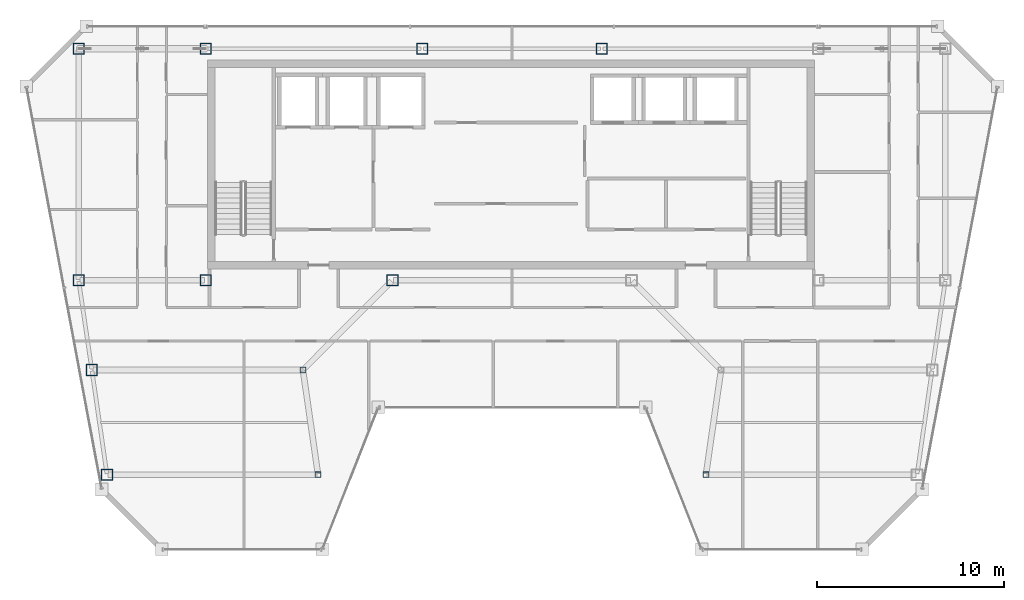
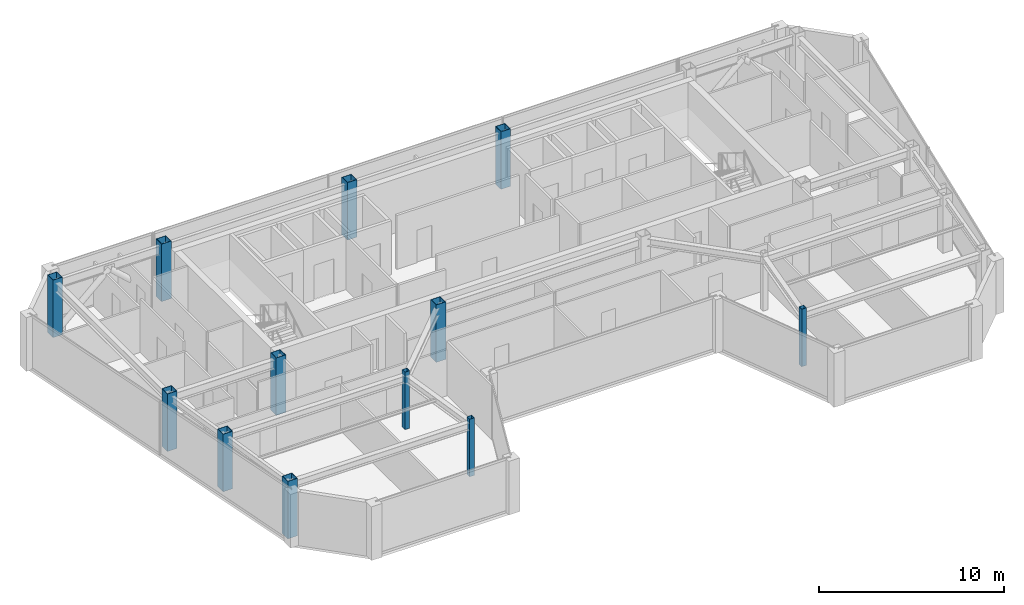
# One storey, part 1 of 23: 12 columns.
"""IFC4 building model written with IfcOpenShell, lengths in metres."""

from ifc_helpers import new_model, si_unit, direction, frame, origin, origin_2d, place, context, subcontext, project, spatial, hollow_rectangle, extrude, material, material_profile, profile_set, type_object, element, save


model = new_model("IFC4")

# Units and contexts
model_context = context("Model", 3, precision=1e-05, world=origin(), true_north=direction((0.0, 1.0)))
body_context = subcontext(model_context, "Body", "Model", "MODEL_VIEW")
ifc_project = project(units=[si_unit("LENGTHUNIT", "METRE"), si_unit("AREAUNIT", "SQUARE_METRE"), si_unit("VOLUMEUNIT", "CUBIC_METRE"), si_unit("PLANEANGLEUNIT", "RADIAN"), si_unit("MASSUNIT", "GRAM", prefix="KILO")], contexts=[model_context])

# Site, building, storey
site_placement = place(None, origin())
site = spatial("IfcSite", under=ifc_project, at=site_placement, CompositionType="ELEMENT")
building_placement = place(site_placement, origin())
building = spatial("IfcBuilding", under=site, at=building_placement, Name="Saevonmaru Cultural Tower", CompositionType="ELEMENT")
storey_placement = place(building_placement, frame((0.0, 0.0, 283.800048828125)))
storey = spatial("IfcBuildingStorey", under=building, at=storey_placement, Name="L67", CompositionType="ELEMENT", Elevation=283.800048828125)

# Columns
ifc_material = material(Name="Steel SM355", Category="steel")
ifc_material_profile_1 = material_profile(ifc_material, hollow_rectangle(XDim=0.60009765625, YDim=0.60009765625, WallThickness=0.028076171875, at=origin_2d()), Name="BOX-600x600x28")
ifc_profile_set_1 = profile_set([ifc_material_profile_1], Name="Steel SM355")
column_type_1 = type_object("IfcColumnType", Name="COL-BOX-600", PredefinedType="COLUMN", material=ifc_profile_set_1)
for number, where, z_axis, x_axis, name in (
    (1, (6.800048828125, 54.800048828125, 0.0), (0.0, 0.0, 1.0), (1.0, 0.0, 0.0), "L67 Column TC-N1N"),
    (2, (13.60009765625, 54.800048828125, 0.0), (0.0, 0.0, 1.0), (1.0, 0.0, 0.0), "L67 Column TC-N2N"),
    (3, (25.199951171875, 54.800048828125, 0.0), (0.0, 0.0, 1.0), (1.0, 0.0, 0.0), "L67 Column TC-N3N"),
    (4, (34.800048828125, 54.800048828125, 0.0), (0.0, 0.0, 1.0), (1.0, 0.0, 0.0), "L67 Column TC-N4N"),
    (5, (6.800048828125, 42.39990234375, 0.0), (0.0, 0.0, 1.0), (1.0, 0.0, 0.0), "L67 Column TC-S1C"),
    (6, (13.60009765625, 42.39990234375, 0.0), (0.0, 0.0, 1.0), (1.0, 0.0, 0.0), "L67 Column TC-S2C"),
    (7, (23.60009765625, 42.39990234375, 0.0), (0.0, 0.0, 1.0), (1.0, 0.0, 0.0), "L67 Column TC-S3C"),
    (8, (8.31689453125, 32.0, 0.0), (0.0, 0.0, 1.0), (1.0, 0.0, 0.0), "L67 Column TC-WO-Y320"),
    (9, (7.508056640625, 37.60009765625, 0.0), (0.0, 0.0, 1.0), (1.0, 0.0, 0.0), "L67 Column TC-WO-Y376"),
):
    element("IfcColumn", number, at=place(storey_placement, frame(where, z_axis=z_axis, x_axis=x_axis)), inside=storey, type_object=column_type_1, Name=name, PredefinedType="COLUMN", context=body_context, shape_type="SweptSolid", body=[
        extrude(hollow_rectangle(XDim=0.60009765625, YDim=0.60009765625, WallThickness=0.028076171875, at=origin_2d()), origin(), (0.0, 0.0, 1.0), 3.800048828125),
    ])
ifc_material_profile_2 = material_profile(ifc_material, hollow_rectangle(XDim=0.300048828125, YDim=0.300048828125, WallThickness=0.011962890625, at=origin_2d()), Name="SHS-300x300x12")
ifc_profile_set_2 = profile_set([ifc_material_profile_2], Name="Steel SM355")
column_type_2 = type_object("IfcColumnType", Name="COL-SHS-300", PredefinedType="COLUMN", material=ifc_profile_set_2)
for number, where, z_axis, x_axis, name in (
    (10, (19.616943359375, 32.0, 0.0), (0.0, 0.0, 1.0), (1.0, 0.0, 0.0), "L67 Column TC-WI-Y320"),
    (11, (40.383056640625, 32.0, 0.0), (0.0, 0.0, 1.0), (1.0, 0.0, 0.0), "L67 Column TC-EI-Y320"),
    (12, (18.80810546875, 37.60009765625, 0.0), (0.0, 0.0, 1.0), (1.0, 0.0, 0.0), "L67 Column TC-WI-Y376"),
):
    element("IfcColumn", number, at=place(storey_placement, frame(where, z_axis=z_axis, x_axis=x_axis)), inside=storey, type_object=column_type_2, Name=name, PredefinedType="COLUMN", context=body_context, shape_type="SweptSolid", body=[
        extrude(hollow_rectangle(XDim=0.300048828125, YDim=0.300048828125, WallThickness=0.011962890625, at=origin_2d()), origin(), (0.0, 0.0, 1.0), 3.800048828125),
    ])

save(model, "model.ifc")
